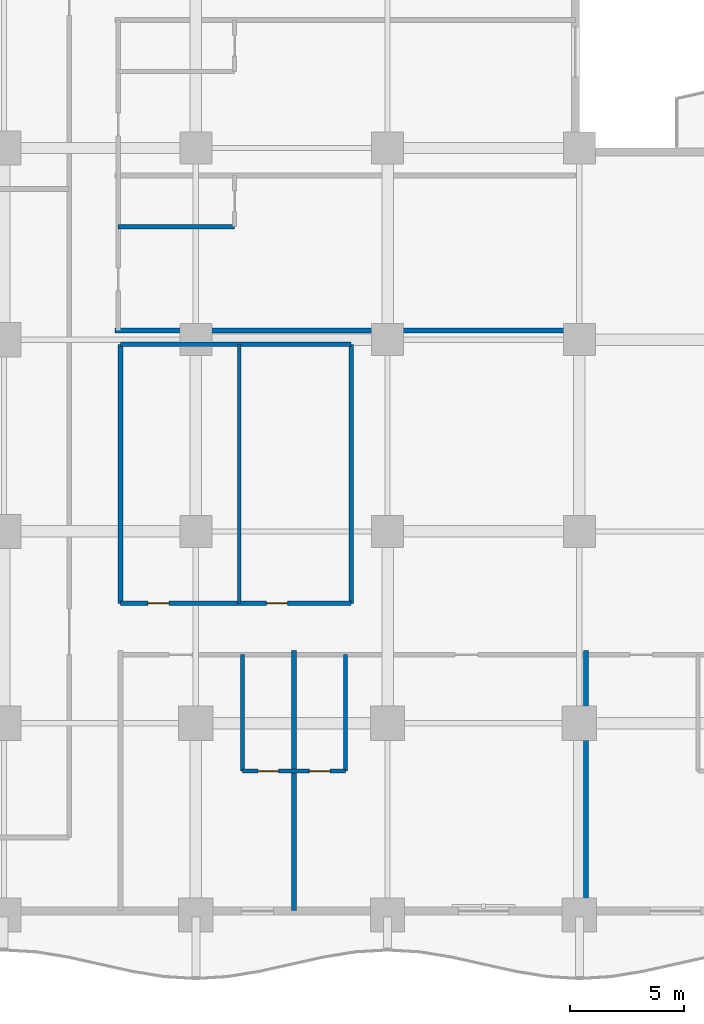
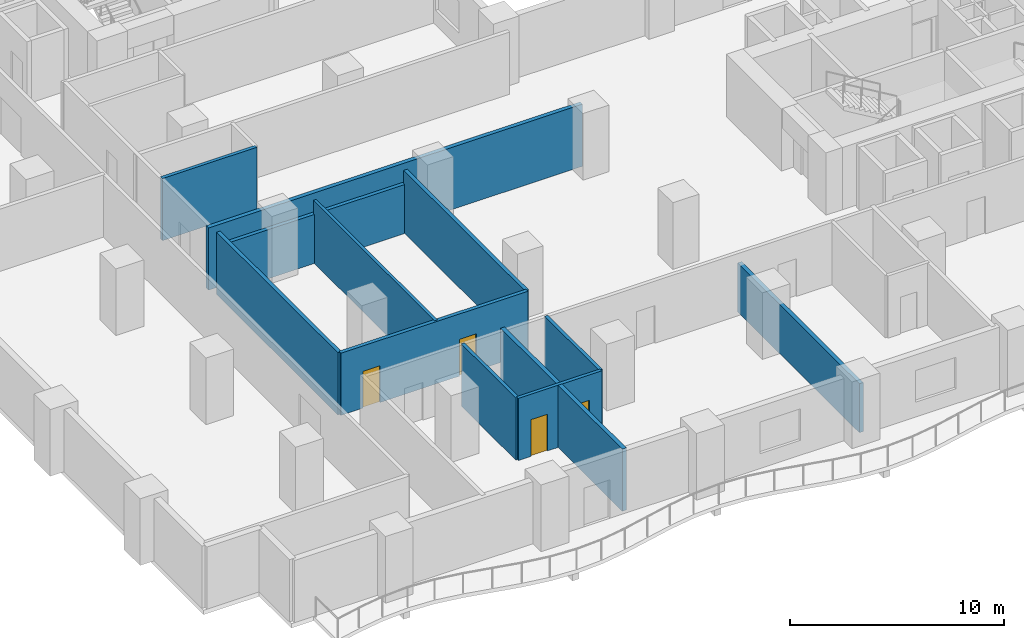
# One storey, part 7 of 22: 12 walls, 4 doors, 4 openings.
"""IFC4 building model written with IfcOpenShell, lengths in metres."""

from ifc_helpers import new_model, si_unit, direction, frame, frame_2d, origin, place, context, subcontext, project, spatial, rectangle, extrude, material, layer, layer_set, type_object, element, fill, save


model = new_model("IFC4")

# Units and contexts
model_context = context("Model", 3, precision=1e-05, world=origin(), true_north=direction((0.0, 1.0)))
body_context = subcontext(model_context, "Body", "Model", "MODEL_VIEW")
ifc_project = project(units=[si_unit("LENGTHUNIT", "METRE"), si_unit("AREAUNIT", "SQUARE_METRE"), si_unit("VOLUMEUNIT", "CUBIC_METRE"), si_unit("PLANEANGLEUNIT", "RADIAN"), si_unit("MASSUNIT", "GRAM", prefix="KILO")], contexts=[model_context])

# Site, building, storey
site_placement = place(None, origin())
site = spatial("IfcSite", under=ifc_project, at=site_placement, CompositionType="ELEMENT")
building_placement = place(site_placement, origin())
building = spatial("IfcBuilding", under=site, at=building_placement, Name="Koriwani Terraces Tower", CompositionType="ELEMENT")
storey_placement = place(building_placement, frame((0.0, 0.0, 62.39990234375)))
storey = spatial("IfcBuildingStorey", under=building, at=storey_placement, Name="L14", CompositionType="ELEMENT", Elevation=62.39990234375)

# Wall, openings, doors
ifc_material_1 = material(Name="Autoclaved Cellular Concrete Blockwork", Category="masonry")
ifc_layer_1 = layer(ifc_material_1, 0.199951171875, Name="Autoclaved Cellular Concrete Blockwork")
ifc_layer_set_1 = layer_set([ifc_layer_1], Name="Autoclaved Cellular Concrete Blockwork")
wall_type_1 = type_object("IfcWallType", Name="WALL_CORRIDOR_200", PredefinedType="PARTITIONING", material=ifc_layer_set_1)
wall_1_placement = place(storey_placement, frame((13.5, 13.64990234375, 0.0), z_axis=(0.0, 0.0, 1.0), x_axis=(1.0, 0.0, 0.0)))
wall_1 = element("IfcWall", 1, at=wall_1_placement, inside=storey, type_object=wall_type_1, Name="L14 Interior Wall WHK-L14-S", PredefinedType="PARTITIONING", context=body_context, shape_type="SweptSolid", body=[
    extrude(rectangle(XDim=10.10009765625, YDim=0.199951171875, at=frame_2d((5.050048828125, 0.0))), origin(), (0.0, 0.0, 1.0), 3.550048828125),
])
opening_1_placement = place(wall_1_placement, frame((1.199951171875, 0.0, 0.0)))
opening_1 = element("IfcOpeningElement", 2, at=opening_1_placement, cuts=wall_1, Name="Opening D-06", PredefinedType="OPENING", context=body_context, shape_type="SweptSolid", body=[
    extrude(rectangle(XDim=0.919921875, YDim=2.10009765625, at=frame_2d((0.4599609375, 1.050048828125))), frame((0.0, 0.10986328125, 0.0), z_axis=(0.0, -1.0, 0.0), x_axis=(1.0, 0.0, 0.0)), (0.0, 0.0, 1.0), 0.219970703125),
])
opening_2_placement = place(wall_1_placement, frame((6.39990234375, 0.0, 0.0)))
opening_2 = element("IfcOpeningElement", 3, at=opening_2_placement, cuts=wall_1, Name="Opening D-06", PredefinedType="OPENING", context=body_context, shape_type="SweptSolid", body=[
    extrude(rectangle(XDim=0.919921875, YDim=2.10009765625, at=frame_2d((0.4599609375, 1.050048828125))), frame((0.0, 0.10986328125, 0.0), z_axis=(0.0, -1.0, 0.0), x_axis=(1.0, 0.0, 0.0)), (0.0, 0.0, 1.0), 0.219970703125),
])
ifc_material_2 = material(Name="Architectural Oak Fire Door", Category="wood")
door_type_1 = type_object("IfcDoorType", Name="DOOR_ROOM_INT_920X2100", OperationType="NOTDEFINED", PredefinedType="DOOR", material=ifc_material_2)
door_1_placement = place(opening_1_placement, origin())
door_1 = element("IfcDoor", 4, at=door_1_placement, inside=storey, type_object=door_type_1, Name="L14 Housekeeping and Linen Room Door", OperationType="SINGLE_SWING_RIGHT", OverallHeight=2.10009765625, OverallWidth=0.919921875, PredefinedType="DOOR", context=body_context, shape_type="SweptSolid", body=[
    extrude(rectangle(XDim=0.919921875, YDim=2.10009765625, at=frame_2d((0.4599609375, 1.050048828125))), frame((0.0, 0.02490234375, 0.0), z_axis=(0.0, -1.0, 0.0), x_axis=(1.0, 0.0, 0.0)), (0.0, 0.0, 1.0), 0.050048828125),
])
fill(opening_1, door_1)
door_2_placement = place(opening_2_placement, origin())
door_2 = element("IfcDoor", 5, at=door_2_placement, inside=storey, type_object=door_type_1, Name="L14 Guest Study Lounge Door", OperationType="SINGLE_SWING_LEFT", OverallHeight=2.10009765625, OverallWidth=0.919921875, PredefinedType="DOOR", context=body_context, shape_type="SweptSolid", body=[
    extrude(rectangle(XDim=0.919921875, YDim=2.10009765625, at=frame_2d((0.4599609375, 1.050048828125))), frame((0.0, 0.02490234375, 0.0), z_axis=(0.0, -1.0, 0.0), x_axis=(1.0, 0.0, 0.0)), (0.0, 0.0, 1.0), 0.050048828125),
])
fill(opening_2, door_2)

# Walls
wall_2_placement = place(storey_placement, frame((13.5, 25.0, 0.0), z_axis=(0.0, 0.0, 1.0), x_axis=(1.0, 0.0, 0.0)))
element("IfcWall", 6, at=wall_2_placement, inside=storey, type_object=wall_type_1, Name="L14 Interior Wall WHK-L14-N", PredefinedType="PARTITIONING", context=body_context, shape_type="SweptSolid", body=[
    extrude(rectangle(XDim=10.10009765625, YDim=0.199951171875, at=frame_2d((5.050048828125, 0.0))), origin(), (0.0, 0.0, 1.0), 2.800048828125),
])
for number, where, z_axis, x_axis, name in (
    (7, (13.5, 13.64990234375, 0.0), (0.0, 0.0, 1.0), (0.0, 1.0, 0.0), "L14 Interior Wall WHK-L14-W"),
    (8, (23.60009765625, 13.64990234375, 0.0), (0.0, 0.0, 1.0), (0.0, 1.0, 0.0), "L14 Interior Wall WHK-L14-E"),
):
    element("IfcWall", number, at=place(storey_placement, frame(where, z_axis=z_axis, x_axis=x_axis)), inside=storey, type_object=wall_type_1, Name=name, PredefinedType="PARTITIONING", context=body_context, shape_type="SweptSolid", body=[
        extrude(rectangle(XDim=11.35009765625, YDim=0.199951171875, at=frame_2d((5.675048828125, 0.0))), origin(), (0.0, 0.0, 1.0), 3.550048828125),
    ])
ifc_layer_2 = layer(ifc_material_1, 0.219970703125, Name="Autoclaved Cellular Concrete Blockwork")
ifc_layer_set_2 = layer_set([ifc_layer_2], Name="Autoclaved Cellular Concrete Blockwork")
wall_type_2 = type_object("IfcWallType", Name="WALL_DEMISING_220", PredefinedType="PARTITIONING", material=ifc_layer_set_2)
wall_3_placement = place(storey_placement, frame((13.25, 25.60009765625, 0.0), z_axis=(0.0, 0.0, 1.0), x_axis=(1.0, 0.0, 0.0)))
element("IfcWall", 9, at=wall_3_placement, inside=storey, type_object=wall_type_2, Name="L14 Interior Wall WDEM-L14-NWI-0", PredefinedType="PARTITIONING", context=body_context, shape_type="SweptSolid", body=[
    extrude(rectangle(XDim=20.179931640625, YDim=0.219970703125, at=frame_2d((10.08984375, 0.0))), origin(), (0.0, 0.0, 1.0), 3.550048828125),
])
wall_4_placement = place(storey_placement, frame((21.10009765625, 0.199951171875, 0.0), z_axis=(0.0, 0.0, 1.0), x_axis=(0.0, 1.0, 0.0)))
element("IfcWall", 10, at=wall_4_placement, inside=storey, type_object=wall_type_2, Name="L14 Interior Wall WDEM-L14-SW-1", PredefinedType="PARTITIONING", context=body_context, shape_type="SweptSolid", body=[
    extrude(rectangle(XDim=11.380126953125, YDim=0.219970703125, at=frame_2d((5.68994140625, 0.0))), origin(), (0.0, 0.0, 1.0), 3.550048828125),
])
wall_5_placement = place(storey_placement, frame((33.89990234375, 0.199951171875, 0.0), z_axis=(0.0, 0.0, 1.0), x_axis=(0.0, 1.0, 0.0)))
element("IfcWall", 11, at=wall_5_placement, inside=storey, type_object=wall_type_2, Name="L14 Interior Wall WDEM-L14-SW-2", PredefinedType="PARTITIONING", context=body_context, shape_type="SweptSolid", body=[
    extrude(rectangle(XDim=11.380126953125, YDim=0.219970703125, at=frame_2d((5.68994140625, 0.0))), origin(), (0.0, 0.0, 1.0), 2.800048828125),
])
ifc_material_3 = material(Name="Fire-Rated Acoustic Gypsum Partition", Category="masonry")
ifc_layer_3 = layer(ifc_material_3, 0.179931640625, Name="Fire-Rated Acoustic Gypsum Partition")
ifc_layer_set_3 = layer_set([ifc_layer_3], Name="Fire-Rated Acoustic Gypsum Partition")
wall_type_3 = type_object("IfcWallType", Name="WALL_PLUMBING_180", PredefinedType="PLUMBINGWALL", material=ifc_layer_set_3)
wall_6_placement = place(storey_placement, frame((13.39990234375, 30.14990234375, 0.0), z_axis=(0.0, 0.0, 1.0), x_axis=(1.0, 0.0, 0.0)))
element("IfcWall", 12, at=wall_6_placement, inside=storey, type_object=wall_type_3, Name="L14 Interior Wall WBTH2-L14-NWI-0", PredefinedType="PLUMBINGWALL", context=body_context, shape_type="SweptSolid", body=[
    extrude(rectangle(XDim=5.10009765625, YDim=0.179931640625, at=frame_2d((2.550048828125, 0.0))), origin(), (0.0, 0.0, 1.0), 3.550048828125),
])

# Wall, openings, doors
wall_7_placement = place(storey_placement, frame((18.85009765625, 6.300048828125, 0.0), z_axis=(0.0, 0.0, 1.0), x_axis=(1.0, 0.0, 0.0)))
wall_7 = element("IfcWall", 13, at=wall_7_placement, inside=storey, type_object=wall_type_3, Name="L14 Interior Wall WBTH1-L14-SW-0", PredefinedType="PLUMBINGWALL", context=body_context, shape_type="SweptSolid", body=[
    extrude(rectangle(XDim=4.5, YDim=0.179931640625, at=frame_2d((2.25, 0.0))), origin(), (0.0, 0.0, 1.0), 3.550048828125),
])
opening_3_placement = place(wall_7_placement, frame((0.675048828125, 0.0, 0.0)))
opening_3 = element("IfcOpeningElement", 14, at=opening_3_placement, cuts=wall_7, Name="Opening D-07", PredefinedType="OPENING", context=body_context, shape_type="SweptSolid", body=[
    extrude(rectangle(XDim=0.89990234375, YDim=2.10009765625, at=frame_2d((0.449951171875, 1.050048828125))), frame((0.0, 0.10009765625, 0.0), z_axis=(0.0, -1.0, 0.0), x_axis=(1.0, 0.0, 0.0)), (0.0, 0.0, 1.0), 0.199951171875),
])
opening_4_placement = place(wall_7_placement, frame((2.925048828125, 0.0, 0.0)))
opening_4 = element("IfcOpeningElement", 15, at=opening_4_placement, cuts=wall_7, Name="Opening D-07", PredefinedType="OPENING", context=body_context, shape_type="SweptSolid", body=[
    extrude(rectangle(XDim=0.89990234375, YDim=2.10009765625, at=frame_2d((0.449951171875, 1.050048828125))), frame((0.0, 0.10009765625, 0.0), z_axis=(0.0, -1.0, 0.0), x_axis=(1.0, 0.0, 0.0)), (0.0, 0.0, 1.0), 0.199951171875),
])
door_type_2 = type_object("IfcDoorType", Name="DOOR_BATH_INT_900X2100", OperationType="NOTDEFINED", PredefinedType="DOOR", material=ifc_material_2)
door_3_placement = place(opening_3_placement, origin())
door_3 = element("IfcDoor", 16, at=door_3_placement, inside=storey, type_object=door_type_2, Name="En-Suite Bathroom 14SW1 Door", OperationType="SINGLE_SWING_LEFT", OverallHeight=2.10009765625, OverallWidth=0.89990234375, PredefinedType="DOOR", context=body_context, shape_type="SweptSolid", body=[
    extrude(rectangle(XDim=0.89990234375, YDim=2.10009765625, at=frame_2d((0.449951171875, 1.050048828125))), frame((0.0, 0.02490234375, 0.0), z_axis=(0.0, -1.0, 0.0), x_axis=(1.0, 0.0, 0.0)), (0.0, 0.0, 1.0), 0.050048828125),
])
fill(opening_3, door_3)
door_4_placement = place(opening_4_placement, origin())
door_4 = element("IfcDoor", 17, at=door_4_placement, inside=storey, type_object=door_type_2, Name="En-Suite Bathroom 14SW2 Door", OperationType="SINGLE_SWING_LEFT", OverallHeight=2.10009765625, OverallWidth=0.89990234375, PredefinedType="DOOR", context=body_context, shape_type="SweptSolid", body=[
    extrude(rectangle(XDim=0.89990234375, YDim=2.10009765625, at=frame_2d((0.449951171875, 1.050048828125))), frame((0.0, 0.02490234375, 0.0), z_axis=(0.0, -1.0, 0.0), x_axis=(1.0, 0.0, 0.0)), (0.0, 0.0, 1.0), 0.050048828125),
])
fill(opening_4, door_4)

# Walls
for number, where, z_axis, x_axis, name in (
    (18, (18.85009765625, 6.300048828125, 0.0), (0.0, 0.0, 1.0), (0.0, 1.0, 0.0), "L14 Interior Wall WBTH2-L14-SW-0"),
    (19, (23.35009765625, 6.300048828125, 0.0), (0.0, 0.0, 1.0), (0.0, 1.0, 0.0), "L14 Interior Wall WBTH2-L14-SW-1"),
):
    element("IfcWall", number, at=place(storey_placement, frame(where, z_axis=z_axis, x_axis=x_axis)), inside=storey, type_object=wall_type_3, Name=name, PredefinedType="PLUMBINGWALL", context=body_context, shape_type="SweptSolid", body=[
        extrude(rectangle(XDim=5.099853515625, YDim=0.179931640625, at=frame_2d((2.5498046875, 0.0))), origin(), (0.0, 0.0, 1.0), 3.550048828125),
    ])
ifc_layer_4 = layer(ifc_material_3, 0.159912109375, Name="Fire-Rated Acoustic Gypsum Partition")
ifc_layer_set_4 = layer_set([ifc_layer_4], Name="Fire-Rated Acoustic Gypsum Partition")
wall_type_4 = type_object("IfcWallType", Name="WALL_SUITE_160", PredefinedType="PARTITIONING", material=ifc_layer_set_4)
wall_8_placement = place(storey_placement, frame((18.699951171875, 13.64990234375, 0.0), z_axis=(0.0, 0.0, 1.0), x_axis=(0.0, 1.0, 0.0)))
element("IfcWall", 20, at=wall_8_placement, inside=storey, type_object=wall_type_4, Name="L14 Interior Wall WHK-L14-M", PredefinedType="PARTITIONING", context=body_context, shape_type="SweptSolid", body=[
    extrude(rectangle(XDim=11.35009765625, YDim=0.159912109375, at=frame_2d((5.675048828125, 0.0))), origin(), (0.0, 0.0, 1.0), 3.550048828125),
])

save(model, "model.ifc")
